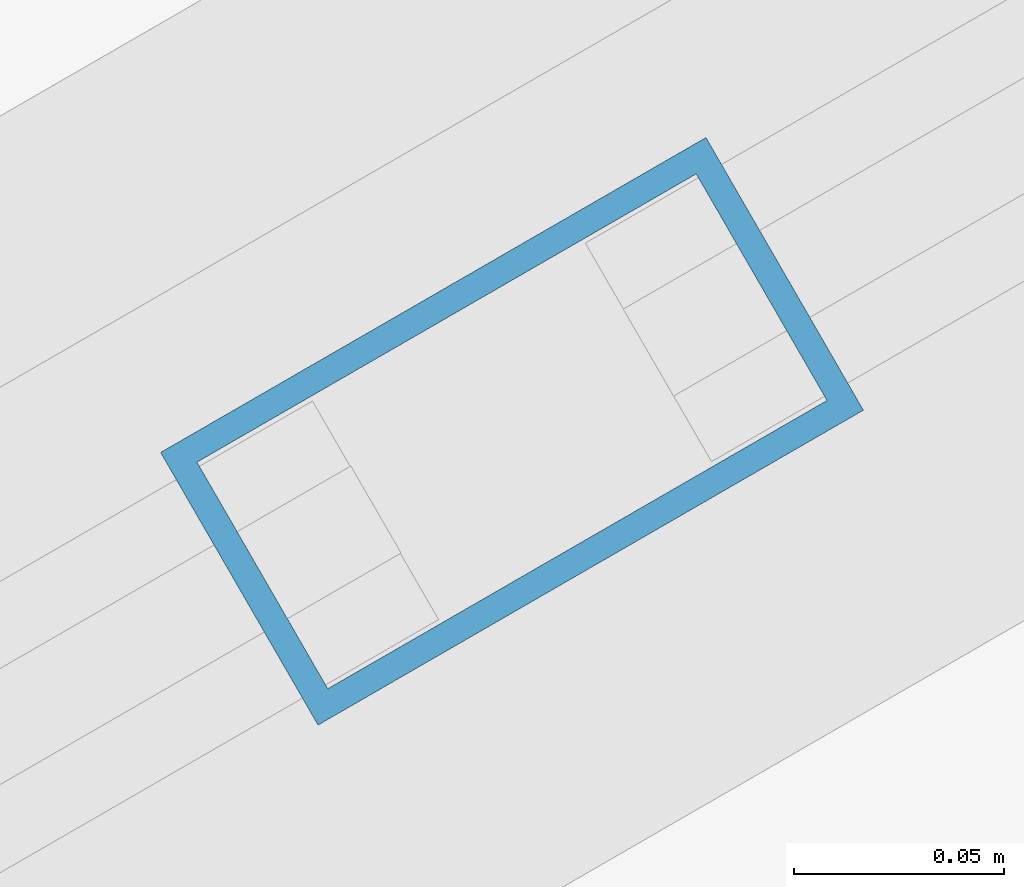
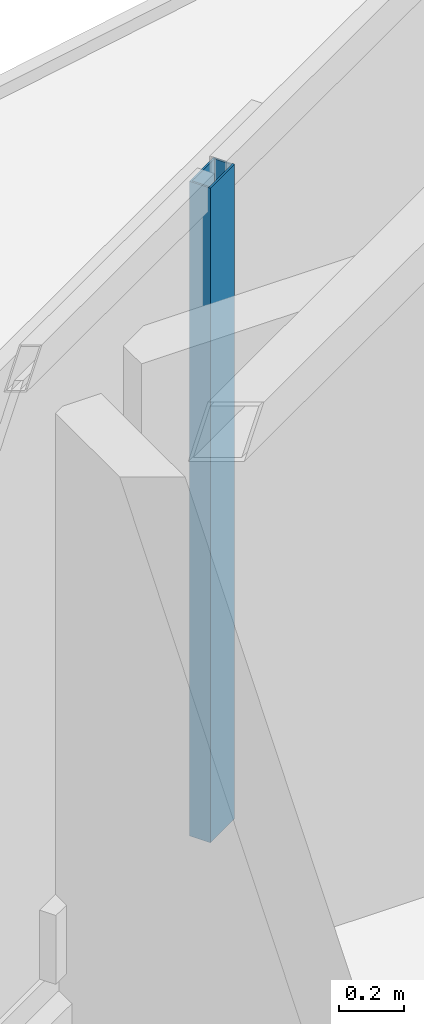
# One storey, part 11 of 23: 1 member, 1 element without a shape of its own.
"""IFC4 building model written with IfcOpenShell, lengths in metres."""

from ifc_helpers import new_model, si_unit, direction, frame, origin, origin_2d, place, context, subcontext, project, spatial, hollow_rectangle, extrude, material, layer, layer_set, material_profile, profile_set, type_object, element, aggregate, save


model = new_model("IFC4")

# Units and contexts
model_context = context("Model", 3, precision=1e-05, world=origin(), true_north=direction((0.0, 1.0)))
body_context = subcontext(model_context, "Body", "Model", "MODEL_VIEW")
ifc_project = project(units=[si_unit("LENGTHUNIT", "METRE"), si_unit("AREAUNIT", "SQUARE_METRE"), si_unit("VOLUMEUNIT", "CUBIC_METRE"), si_unit("PLANEANGLEUNIT", "RADIAN"), si_unit("MASSUNIT", "GRAM", prefix="KILO")], contexts=[model_context])

# Site, building, storey
site_placement = place(None, origin())
site = spatial("IfcSite", under=ifc_project, at=site_placement, CompositionType="ELEMENT")
building_placement = place(site_placement, origin())
building = spatial("IfcBuilding", under=site, at=building_placement, Name="Mersakhor Tower and Convention Hall", CompositionType="ELEMENT")
storey_placement = place(building_placement, frame((0.0, 0.0, 93.300048828125)))
storey = spatial("IfcBuildingStorey", under=building, at=storey_placement, Name="L25", CompositionType="ELEMENT", Elevation=93.300048828125)

# Curtain wall, member
ifc_material_1 = material(Name="Dark solar low-E aluminium curtain wall", Category="aluminium")
ifc_layer = layer(ifc_material_1, 0.159912109375)
ifc_layer_set = layer_set([ifc_layer], Name="Dark solar low-E aluminium curtain wall")
curtain_wall_type = type_object("IfcCurtainWallType", Name="CW-SYS-01", PredefinedType="USERDEFINED", material=ifc_layer_set)
curtain_wall_placement = place(storey_placement, origin())
curtain_wall = element("IfcCurtainWall", 1, at=curtain_wall_placement, inside=storey, type_object=curtain_wall_type, Name="L25 Dark-Glass Curtain Wall F1-B2", ObjectType="CURTAIN WALL", PredefinedType="USERDEFINED")
ifc_material_2 = material(Name="Anodised aluminium EN AW-6063 T6", Category="aluminium")
ifc_material_profile = material_profile(ifc_material_2, hollow_rectangle(XDim=0.074951171875, YDim=0.14990234375, WallThickness=0.00634765625, at=origin_2d()), Name="RHS 150x75x6.3")
ifc_profile_set = profile_set([ifc_material_profile], Name="Anodised aluminium EN AW-6063 T6")
member_type = type_object("IfcMemberType", Name="CWM-150x75", PredefinedType="MULLION", material=ifc_profile_set)
member_placement = place(storey_placement, frame((20.36181640625, 37.968505859375, 0.199951171875), z_axis=(0.0, 0.0, 1.0), x_axis=(-0.499997904985, 0.866026613339, 0.0)))
member = element("IfcMember", 2, at=member_placement, type_object=member_type, Name="CW-01 mullion 2", PredefinedType="MULLION", context=body_context, shape_type="SweptSolid", body=[
    extrude(hollow_rectangle(XDim=0.074951171875, YDim=0.14990234375, WallThickness=0.00634765625, at=origin_2d()), origin(), (0.0, 0.0, 1.0), 2.469970703125),
])
aggregate(curtain_wall, [member])

save(model, "model.ifc")
